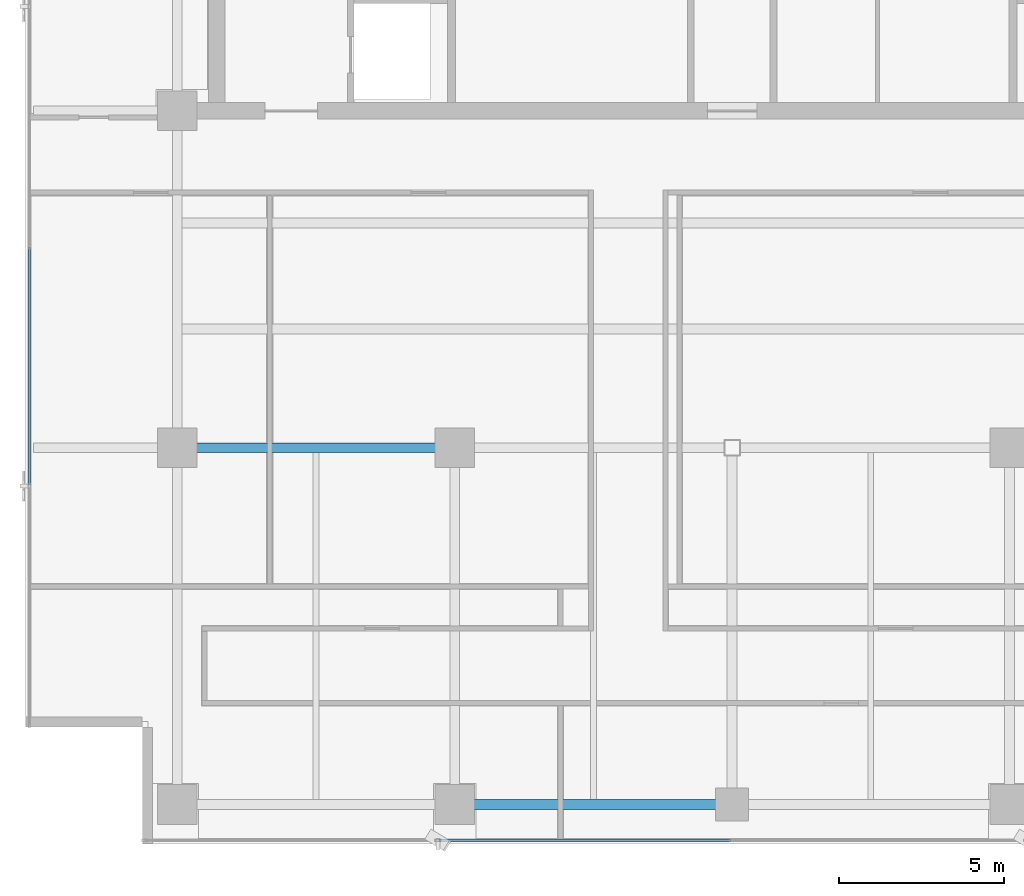
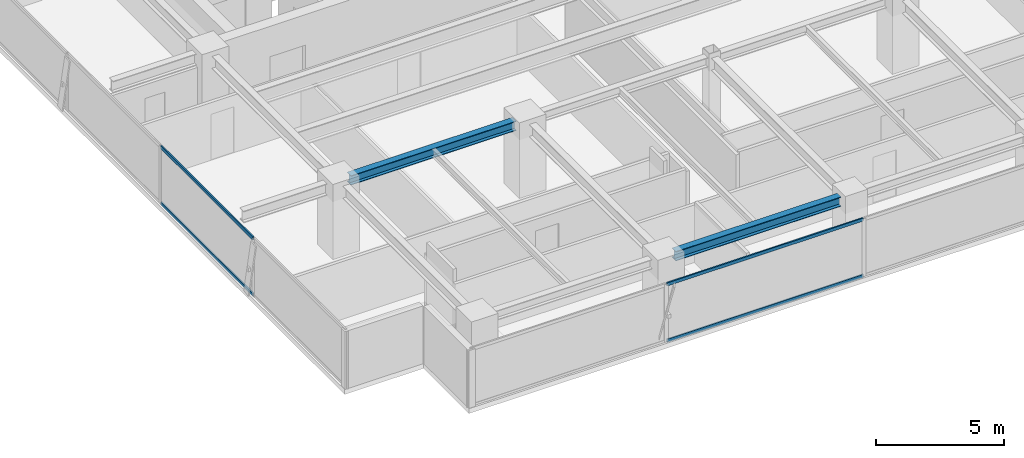
# One storey, part 3 of 22: 4 members, 2 beams, 2 elements without a shape of their own.
"""IFC4 building model written with IfcOpenShell, lengths in metres."""

from ifc_helpers import new_model, si_unit, direction, frame, origin, origin_2d, place, context, subcontext, project, spatial, hollow_rectangle, i_section, extrude, source, transform, mapped, material, layer, layer_set, material_profile, profile_set, type_object, element, aggregate, save


model = new_model("IFC4")

# Units and contexts
model_context = context("Model", 3, precision=1e-05, world=origin(), true_north=direction((0.0, 1.0)))
body_context = subcontext(model_context, "Body", "Model", "MODEL_VIEW")
ifc_project = project(units=[si_unit("LENGTHUNIT", "METRE"), si_unit("AREAUNIT", "SQUARE_METRE"), si_unit("VOLUMEUNIT", "CUBIC_METRE"), si_unit("PLANEANGLEUNIT", "RADIAN"), si_unit("MASSUNIT", "GRAM", prefix="KILO")], contexts=[model_context])

# Site, building, storey
site_placement = place(None, origin())
site = spatial("IfcSite", under=ifc_project, at=site_placement, CompositionType="ELEMENT")
building_placement = place(site_placement, origin())
building = spatial("IfcBuilding", under=site, at=building_placement, Name="Sumidabori Civic Tower", CompositionType="ELEMENT")
storey_placement = place(building_placement, frame((0.0, 0.0, 279.199951171875)))
storey = spatial("IfcBuildingStorey", under=building, at=storey_placement, Name="L73", CompositionType="ELEMENT", Elevation=279.199951171875)

# Beams
ifc_material_1 = material(Name="Steel SN490", Category="steel")
ifc_material_profile_1 = material_profile(ifc_material_1, i_section(OverallWidth=0.300048828125, OverallDepth=0.449951171875, WebThickness=0.013916015625, FlangeThickness=0.02587890625, at=origin_2d()), Name="HE 450 B")
ifc_profile_set_1 = profile_set([ifc_material_profile_1], Name="Steel SN490")
beam_type = type_object("IfcBeamType", Name="BM-GIRD-450", PredefinedType="BEAM", material=ifc_profile_set_1)
shared_shape_1 = source(origin(), body_context, "Body", "SweptSolid", [
    extrude(i_section(OverallWidth=0.300048828125, OverallDepth=0.449951171875, WebThickness=0.013916015625, FlangeThickness=0.02587890625, at=origin_2d()), origin(), (0.0, 0.0, 1.0), 7.440185546875),
])
beam_1_placement = place(storey_placement, frame((-16.320068359375, 0.0, 3.14501953125), z_axis=(1.0, 0.0, 0.0), x_axis=(0.0, 1.0, 0.0)))
element("IfcBeam", 1, at=beam_1_placement, inside=storey, type_object=beam_type, Name="Primary Girder L73 GX-05", PredefinedType="BEAM", context=body_context, shape_type="MappedRepresentation", body=[
    mapped(shared_shape_1, transform((0.0, 0.0, 0.0), x_axis=(1.0, 0.0, 0.0), y_axis=(0.0, 1.0, 0.0), z_axis=(0.0, 0.0, 1.0), scale=1.0)),
])
shared_shape_2 = source(origin(), body_context, "Body", "SweptSolid", [
    extrude(i_section(OverallWidth=0.300048828125, OverallDepth=0.449951171875, WebThickness=0.013916015625, FlangeThickness=0.02587890625, at=origin_2d()), origin(), (0.0, 0.0, 1.0), 7.43994140625),
])
beam_2_placement = place(storey_placement, frame((-7.919921875, -10.800048828125, 3.14501953125), z_axis=(1.0, 0.0, 0.0), x_axis=(0.0, 1.0, 0.0)))
element("IfcBeam", 2, at=beam_2_placement, inside=storey, type_object=beam_type, Name="Primary Girder L73 GX-02", PredefinedType="BEAM", context=body_context, shape_type="MappedRepresentation", body=[
    mapped(shared_shape_2, transform((0.0, 0.0, 0.0), x_axis=(1.0, 0.0, 0.0), y_axis=(0.0, 1.0, 0.0), z_axis=(0.0, 0.0, 1.0), scale=1.0)),
])

# Curtain wall, members
ifc_material_2 = material(Name="Anodised Bronze Aluminium AW-6063-T6", Category="aluminium")
ifc_layer = layer(ifc_material_2, 0.179931640625, Name="Anodised Bronze Aluminium AW-6063-T6")
ifc_layer_set = layer_set([ifc_layer], Name="Anodised Bronze Aluminium AW-6063-T6")
curtain_wall_type = type_object("IfcCurtainWallType", Name="CW-SYS-6", PredefinedType="NOTDEFINED", material=ifc_layer_set)
curtain_wall_1_placement = place(storey_placement, origin())
curtain_wall_1 = element("IfcCurtainWall", 3, at=curtain_wall_1_placement, inside=storey, type_object=curtain_wall_type, Name="Curtain Wall CW:L73:R01", PredefinedType="NOTDEFINED")
ifc_material_profile_2 = material_profile(ifc_material_2, hollow_rectangle(XDim=0.06494140625, YDim=0.14990234375, WallThickness=0.0048828125, at=origin_2d()), Name="ALU TRANSOM 150x65")
ifc_profile_set_2 = profile_set([ifc_material_profile_2], Name="Anodised Bronze Aluminium AW-6063-T6")
member_type = type_object("IfcMemberType", Name="CW-TRN-150", PredefinedType="USERDEFINED", material=ifc_profile_set_2)
shared_shape_3 = source(origin(), body_context, "Body", "SweptSolid", [
    extrude(hollow_rectangle(XDim=0.06494140625, YDim=0.14990234375, WallThickness=0.0048828125, at=origin_2d()), origin(), (0.0, 0.0, 1.0), 8.840087890625),
])
member_1_placement = place(storey_placement, frame((-8.875, -11.8798828125, 0.032470703125), z_axis=(1.0, 0.0, 0.0), x_axis=(0.0, 1.0, 0.0)))
member_1 = element("IfcMember", 4, at=member_1_placement, type_object=member_type, Name="CW-6 transom 2.1", ObjectType="TRANSOM", PredefinedType="USERDEFINED", context=body_context, shape_type="MappedRepresentation", body=[
    mapped(shared_shape_3, transform((0.0, 0.0, 0.0), x_axis=(1.0, 0.0, 0.0), y_axis=(0.0, 1.0, 0.0), z_axis=(0.0, 0.0, 1.0), scale=1.0)),
])
member_2_placement = place(storey_placement, frame((-8.875, -11.8798828125, 2.717529296875), z_axis=(1.0, 0.0, 0.0), x_axis=(0.0, 1.0, 0.0)))
member_2 = element("IfcMember", 5, at=member_2_placement, type_object=member_type, Name="CW-6 transom 2.2", ObjectType="TRANSOM", PredefinedType="USERDEFINED", context=body_context, shape_type="MappedRepresentation", body=[
    mapped(shared_shape_3, transform((0.0, 0.0, 0.0), x_axis=(1.0, 0.0, 0.0), y_axis=(0.0, 1.0, 0.0), z_axis=(0.0, 0.0, 1.0), scale=1.0)),
])
aggregate(curtain_wall_1, [member_1, member_2])

curtain_wall_2_placement = place(storey_placement, origin())
curtain_wall_2 = element("IfcCurtainWall", 6, at=curtain_wall_2_placement, inside=storey, type_object=curtain_wall_type, Name="Curtain Wall CW:L73:R10", PredefinedType="NOTDEFINED")
shared_shape_4 = source(origin(), body_context, "Body", "SweptSolid", [
    extrude(hollow_rectangle(XDim=0.06494140625, YDim=0.14990234375, WallThickness=0.0048828125, at=origin_2d()), origin(), (0.0, 0.0, 1.0), 7.18994140625),
])
member_3_placement = place(storey_placement, frame((-21.280029296875, 6.06494140625, 0.032470703125), z_axis=(0.0, -1.0, 0.0), x_axis=(1.0, 0.0, 0.0)))
member_3 = element("IfcMember", 7, at=member_3_placement, type_object=member_type, Name="CW-6 transom 3.1", ObjectType="TRANSOM", PredefinedType="USERDEFINED", context=body_context, shape_type="MappedRepresentation", body=[
    mapped(shared_shape_4, transform((0.0, 0.0, 0.0), x_axis=(1.0, 0.0, 0.0), y_axis=(0.0, 1.0, 0.0), z_axis=(0.0, 0.0, 1.0), scale=1.0)),
])
member_4_placement = place(storey_placement, frame((-21.280029296875, 6.06494140625, 2.717529296875), z_axis=(0.0, -1.0, 0.0), x_axis=(1.0, 0.0, 0.0)))
member_4 = element("IfcMember", 8, at=member_4_placement, type_object=member_type, Name="CW-6 transom 3.2", ObjectType="TRANSOM", PredefinedType="USERDEFINED", context=body_context, shape_type="MappedRepresentation", body=[
    mapped(shared_shape_4, transform((0.0, 0.0, 0.0), x_axis=(1.0, 0.0, 0.0), y_axis=(0.0, 1.0, 0.0), z_axis=(0.0, 0.0, 1.0), scale=1.0)),
])
aggregate(curtain_wall_2, [member_3, member_4])

save(model, "model.ifc")
